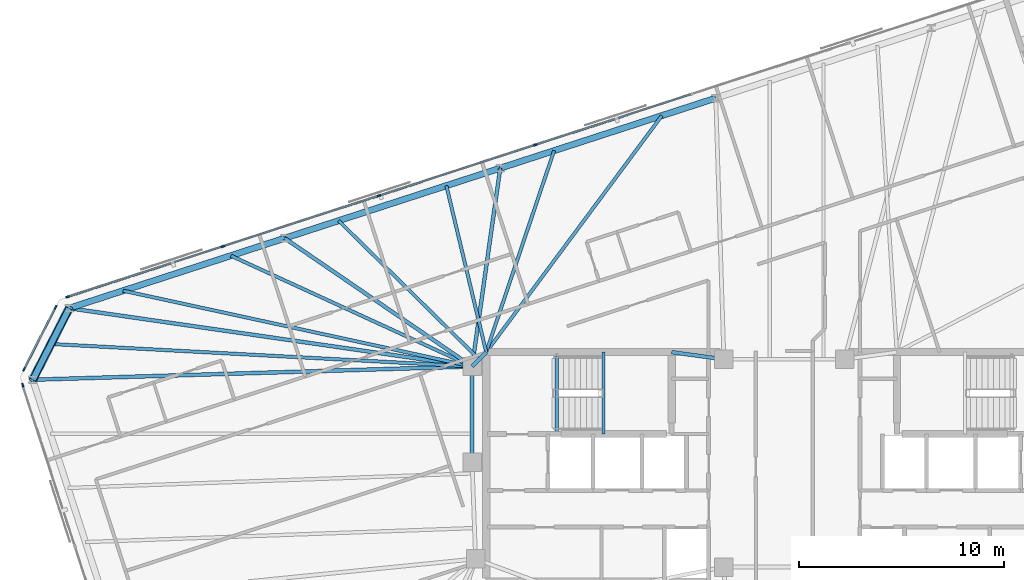
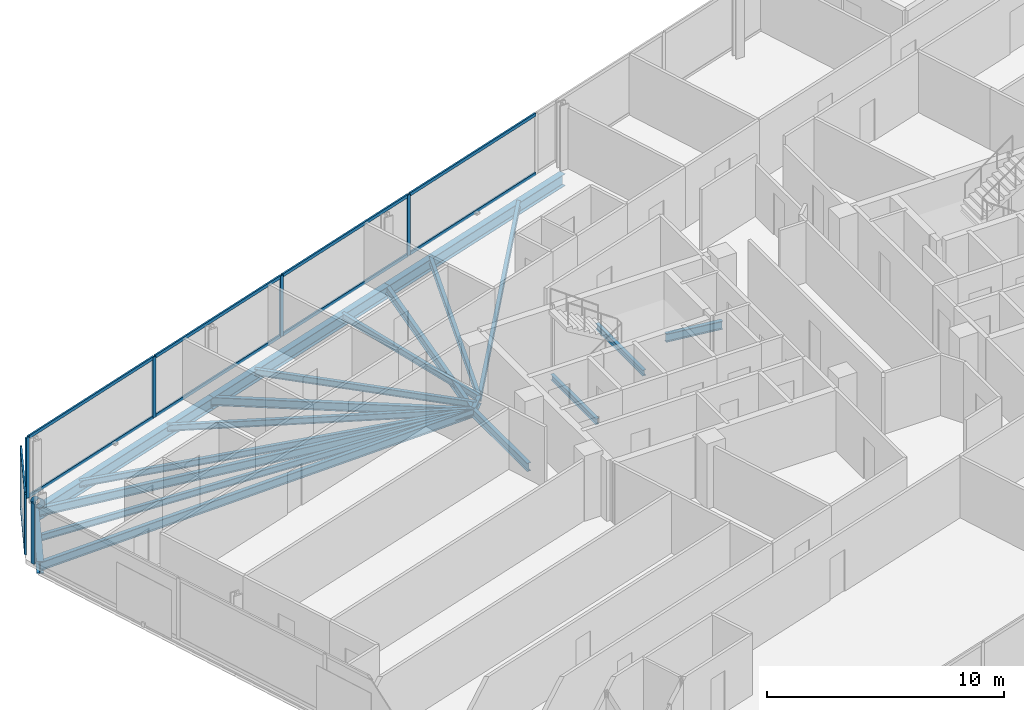
# One storey, part 9 of 19: 20 beams, 18 members, 3 elements without a shape of their own.
"""IFC4 building model written with IfcOpenShell, lengths in metres."""

import ifcopenshell
import ifcopenshell.guid

model = None  # the IFC model being written
_history = None  # IfcOwnerHistory: only IFC2X3 demands one
_inside = {}  # id of a spatial element -> (the spatial element, [elements in it])
_under = {}  # id of a project, library or spatial element -> (it, [spatial elements below it])
_declared = {}  # id of a project -> (the project, [libraries it declares])
_typed = {}  # id of a type object -> (the type object, [elements of that type])
_made_of = {}  # id of a material, layer set ... -> (it, [elements and type objects made of it])


def new_model(schema):
    """Start an empty IFC model of exactly this schema.

    Asked for "IFC4X3", IfcOpenShell would pick the latest addendum, in which some entities
    have other attributes; the version numbers below select the first issue.
    IFC2X3 requires an IfcOwnerHistory on every rooted entity: one is made here for all.
    """
    global model, _history
    if schema == "IFC4X3":
        model = ifcopenshell.file(schema_version=(4, 3, 0, 0))
    else:
        model = ifcopenshell.file(schema=schema)
    _inside.clear()
    _under.clear()
    _declared.clear()
    _typed.clear()
    _made_of.clear()
    _history = None
    if model.schema == "IFC2X3":
        org = make("IfcOrganization", Name="unknown")
        user = make(
            "IfcPersonAndOrganization",
            ThePerson=make("IfcPerson", FamilyName="unknown"),
            TheOrganization=org,
        )
        app = make(
            "IfcApplication",
            ApplicationDeveloper=org,
            Version="unknown",
            ApplicationFullName="unknown",
            ApplicationIdentifier="unknown",
        )
        _history = make(
            "IfcOwnerHistory",
            OwningUser=user,
            OwningApplication=app,
            ChangeAction="ADDED",
            CreationDate=0,
        )
    return model


def make(cls, **values):
    """One entity of the class cls with the attributes given. An attribute that is None is left unset."""
    return model.create_entity(
        cls, **{name: value for name, value in values.items() if value is not None}
    )


def rooted(cls, **values):
    """An entity with a GlobalId (a new one), such as an element, a storey or a relation."""
    return make(cls, GlobalId=ifcopenshell.guid.new(), OwnerHistory=_history, **values)


def si_unit(unit_type, name, prefix=None):
    """IfcSIUnit, for example si_unit("LENGTHUNIT", "METRE", prefix="MILLI")."""
    return make("IfcSIUnit", UnitType=unit_type, Prefix=prefix, Name=name)


def assignment(units):
    """IfcUnitAssignment: the units of a project."""
    return None if units is None else make("IfcUnitAssignment", Units=units)


def point(xyz):
    """IfcCartesianPoint."""
    return None if xyz is None else make("IfcCartesianPoint", Coordinates=xyz)


def direction(xyz):
    """IfcDirection."""
    return None if xyz is None else make("IfcDirection", DirectionRatios=xyz)


def frame(location, z_axis=None, x_axis=None):
    """IfcAxis2Placement3D, a coordinate frame: its origin and axes. An axis left out is left unset."""
    return make(
        "IfcAxis2Placement3D",
        Location=point(location),
        Axis=direction(z_axis),
        RefDirection=direction(x_axis),
    )


def frame_2d(location, x_axis=None):
    """IfcAxis2Placement2D, a coordinate frame in the plane: its origin and x axis."""
    return make(
        "IfcAxis2Placement2D", Location=point(location), RefDirection=direction(x_axis)
    )


def origin():
    """The frame at (0, 0, 0) with its axes left unset."""
    return frame((0.0, 0.0, 0.0))


def origin_2d():
    """The frame at (0, 0) in the plane with its x axis left unset."""
    return frame_2d((0.0, 0.0))


def place(relative_to, where):
    """IfcLocalPlacement: puts the frame where relative to a parent placement (None: the world)."""
    return make(
        "IfcLocalPlacement", PlacementRelTo=relative_to, RelativePlacement=where
    )


def context(
    kind, dimensions, precision=None, world=None, true_north=None, identifier=None
):
    """IfcGeometricRepresentationContext, for example the 3D "Model" context."""
    return make(
        "IfcGeometricRepresentationContext",
        ContextIdentifier=identifier,
        ContextType=kind,
        CoordinateSpaceDimension=dimensions,
        Precision=precision,
        WorldCoordinateSystem=world,
        TrueNorth=true_north,
    )


def subcontext(parent, identifier, kind, view, scale=None):
    """IfcGeometricRepresentationSubContext, for example "Body" below "Model"."""
    return make(
        "IfcGeometricRepresentationSubContext",
        ContextIdentifier=identifier,
        ContextType=kind,
        ParentContext=parent,
        TargetScale=scale,
        TargetView=view,
    )


def project(units=None, contexts=None):
    """IfcProject with its units and contexts."""
    return rooted(
        "IfcProject",
        Name="project",
        RepresentationContexts=contexts,
        UnitsInContext=assignment(units),
    )


def spatial(cls, under=None, at=None, **own):
    """A site, building, storey or space (cls), placed at a placement, below another one or the project."""
    s = rooted(cls, ObjectPlacement=at, **own)
    if under is not None:
        _under.setdefault(under.id(), (under, []))[1].append(s)
    return s


def profile(cls, at=None, kind="AREA", **sizes):
    """A parametric profile (cls). Its sizes go by their IFC names, for example OverallWidth=200.0."""
    return make(cls, ProfileType=kind, Position=at, **sizes)


def rectangle(**sizes):
    """IfcRectangleProfileDef."""
    return profile("IfcRectangleProfileDef", **sizes)


def hollow_circle(**sizes):
    """IfcCircleHollowProfileDef."""
    return profile("IfcCircleHollowProfileDef", **sizes)


def i_section(**sizes):
    """IfcIShapeProfileDef."""
    return profile("IfcIShapeProfileDef", **sizes)


def extrude(swept, where, along, depth):
    """IfcExtrudedAreaSolid: the profile swept, set in the frame where, extruded along a direction by depth."""
    return make(
        "IfcExtrudedAreaSolid",
        SweptArea=swept,
        Position=where,
        ExtrudedDirection=direction(along),
        Depth=depth,
    )


def shape(context_of_items, identifier, shape_type, items):
    """IfcShapeRepresentation: the items that make up one representation, for example the "Body"."""
    return make(
        "IfcShapeRepresentation",
        ContextOfItems=context_of_items,
        RepresentationIdentifier=identifier,
        RepresentationType=shape_type,
        Items=items,
    )


def material(Name=None, Category=None):
    """IfcMaterial."""
    return make("IfcMaterial", Name=Name, Category=Category)


def material_profile(
    of_material, cross_section, Name=None, Category=None, Priority=None
):
    """IfcMaterialProfile: a cross section and its material."""
    return make(
        "IfcMaterialProfile",
        Name=Name,
        Material=of_material,
        Profile=cross_section,
        Priority=Priority,
        Category=Category,
    )


def profile_set(profiles, Name=None, composite=None):
    """IfcMaterialProfileSet."""
    return make(
        "IfcMaterialProfileSet",
        Name=Name,
        MaterialProfiles=profiles,
        CompositeProfile=composite,
    )


def made_of(thing, what):
    """Note that an element or type object is made of a material, layer set ...; save() writes the relation."""
    if what is not None:
        _made_of.setdefault(what.id(), (what, []))[1].append(thing)
    return thing


def type_object(cls, material=None, **own):
    """A type object (cls), such as IfcWallType, which elements share."""
    return made_of(rooted(cls, **own), material)


def element(
    cls,
    number,
    at=None,
    inside=None,
    cuts=None,
    type_object=None,
    material=None,
    context=None,
    identifier="Body",
    shape_type=None,
    held_by="IfcProductDefinitionShape",
    body=None,
    shapes=None,
    **own,
):
    """One element of the class cls, such as IfcWall. Its Tag is "e" and its number.

    at: its placement. inside: the storey or other place that contains it. cuts: it is an
    opening in that element (IfcRelVoidsElement). A single representation is given by context,
    identifier, shape_type and body (its items); several are given by shapes. held_by: the class
    of the entity that holds the representations. save() writes the other relations.
    """
    e = rooted(cls, Tag="e%d" % number, ObjectPlacement=at, **own)
    if body is not None:
        shapes = [shape(context, identifier, shape_type, body)]
    if shapes is not None:
        e.Representation = make(held_by, Representations=shapes)
    if inside is not None:
        _inside.setdefault(inside.id(), (inside, []))[1].append(e)
    if cuts is not None:
        rooted(
            "IfcRelVoidsElement", RelatingBuildingElement=cuts, RelatedOpeningElement=e
        )
    if type_object is not None:
        _typed.setdefault(type_object.id(), (type_object, []))[1].append(e)
    return made_of(e, material)


def aggregate(whole, parts):
    """IfcRelAggregates: a whole, such as a stair, and the parts it consists of."""
    return rooted("IfcRelAggregates", RelatingObject=whole, RelatedObjects=parts)


def save(model, path):
    """Write the relations noted so far, then the file.

    IfcRelAggregates (storeys below a building ...), IfcRelContainedInSpatialStructure (elements
    in a storey), IfcRelDefinesByType, IfcRelAssociatesMaterial and IfcRelDeclares: one each for
    every whole, place, type object, material and project.
    """
    for whole, parts in _under.values():
        aggregate(whole, parts)
    for where, things in _inside.values():
        rooted(
            "IfcRelContainedInSpatialStructure",
            RelatedElements=things,
            RelatingStructure=where,
        )
    for kind, things in _typed.values():
        rooted("IfcRelDefinesByType", RelatedObjects=things, RelatingType=kind)
    for what, things in _made_of.values():
        rooted("IfcRelAssociatesMaterial", RelatedObjects=things, RelatingMaterial=what)
    for by, libraries in _declared.values():
        rooted("IfcRelDeclares", RelatingContext=by, RelatedDefinitions=libraries)
    model.write(path)


model = new_model("IFC4")

# Units and contexts
model_context = context("Model", 3, precision=1e-05, world=origin(), true_north=direction((0.0, 1.0)))
body_context = subcontext(model_context, "Body", "Model", "MODEL_VIEW")
ifc_project = project(units=[si_unit("LENGTHUNIT", "METRE"), si_unit("AREAUNIT", "SQUARE_METRE"), si_unit("VOLUMEUNIT", "CUBIC_METRE"), si_unit("PLANEANGLEUNIT", "RADIAN"), si_unit("MASSUNIT", "GRAM", prefix="KILO")], contexts=[model_context])

# Site, building, storey
site_placement = place(None, origin())
site = spatial("IfcSite", under=ifc_project, at=site_placement, CompositionType="ELEMENT")
building_placement = place(site_placement, origin())
building = spatial("IfcBuilding", under=site, at=building_placement, Name="Menara Jurai Vektor", CompositionType="ELEMENT")
storey_placement = place(building_placement, frame((0.0, 0.0, 231.0)))
storey = spatial("IfcBuildingStorey", under=building, at=storey_placement, Name="L61", CompositionType="ELEMENT", Elevation=231.0)

# Curtain wall, members
ifc_material_1 = material(Name="Anodised Pale Aluminium & Low-E Double Glazing", Category="aluminium")
curtain_wall_type = type_object("IfcCurtainWallType", Name="CW-BLK4", PredefinedType="NOTDEFINED", material=ifc_material_1)
curtain_wall_1_placement = place(storey_placement, origin())
curtain_wall_1 = element("IfcCurtainWall", 1, at=curtain_wall_1_placement, inside=storey, type_object=curtain_wall_type, Name="Unitised Curtain Wall L61 F03", PredefinedType="NOTDEFINED")
ifc_material_2 = material(Name="Anodised Pale Aluminium Mullion", Category="aluminium")
ifc_material_profile_1 = material_profile(ifc_material_2, rectangle(XDim=0.080078125, YDim=0.18994140625, at=origin_2d()), Name="ALU MUL 80x190")
ifc_profile_set_1 = profile_set([ifc_material_profile_1], Name="Anodised Pale Aluminium Mullion")
member_type_1 = type_object("IfcMemberType", Name="CW-BLK4-MUL", PredefinedType="MULLION", material=ifc_profile_set_1)
member_1_placement = place(storey_placement, frame((-12.166015625, 15.720947265625, 0.0), z_axis=(0.0, 0.0, 1.0), x_axis=(0.309017277937, -0.95105642416, 0.0)))
member_1 = element("IfcMember", 2, at=member_1_placement, type_object=member_type_1, Name="CW-04 mullion 4", PredefinedType="MULLION", context=body_context, shape_type="SweptSolid", body=[
    extrude(rectangle(XDim=0.080078125, YDim=0.18994140625, at=origin_2d()), origin(), (0.0, 0.0, 1.0), 3.125),
])
member_2_placement = place(storey_placement, frame((-19.79345703125, 13.24267578125, 0.0), z_axis=(0.0, 0.0, 1.0), x_axis=(0.309017277937, -0.95105642416, 0.0)))
member_2 = element("IfcMember", 3, at=member_2_placement, type_object=member_type_1, Name="CW-04 mullion 5", PredefinedType="MULLION", context=body_context, shape_type="SweptSolid", body=[
    extrude(rectangle(XDim=0.080078125, YDim=0.18994140625, at=origin_2d()), origin(), (0.0, 0.0, 1.0), 3.125),
])
member_3_placement = place(storey_placement, frame((-27.421142578125, 10.764404296875, 0.0), z_axis=(0.0, 0.0, 1.0), x_axis=(0.309017277937, -0.95105642416, 0.0)))
member_3 = element("IfcMember", 4, at=member_3_placement, type_object=member_type_1, Name="CW-04 mullion 6", PredefinedType="MULLION", context=body_context, shape_type="SweptSolid", body=[
    extrude(rectangle(XDim=0.080078125, YDim=0.18994140625, at=origin_2d()), origin(), (0.0, 0.0, 1.0), 3.125),
])
member_4_placement = place(storey_placement, frame((-35.010498046875, 8.29833984375, 0.0), z_axis=(0.0, 0.0, 1.0), x_axis=(0.309017277937, -0.95105642416, 0.0)))
member_4 = element("IfcMember", 5, at=member_4_placement, type_object=member_type_1, Name="CW-04 mullion 7", PredefinedType="MULLION", context=body_context, shape_type="SweptSolid", body=[
    extrude(rectangle(XDim=0.080078125, YDim=0.18994140625, at=origin_2d()), origin(), (0.0, 0.0, 1.0), 3.125),
])

curtain_wall_2_placement = place(storey_placement, origin())
curtain_wall_2 = element("IfcCurtainWall", 6, at=curtain_wall_2_placement, inside=storey, type_object=curtain_wall_type, Name="Unitised Curtain Wall L61 F04", PredefinedType="NOTDEFINED")
member_5_placement = place(storey_placement, frame((-35.6005859375, 7.79443359375, 0.0), z_axis=(0.0, 0.0, 1.0), x_axis=(0.89100750243, -0.453988579828, 0.0)))
member_5 = element("IfcMember", 7, at=member_5_placement, type_object=member_type_1, Name="CW-04 mullion 1", PredefinedType="MULLION", context=body_context, shape_type="SweptSolid", body=[
    extrude(rectangle(XDim=0.080078125, YDim=0.18994140625, at=origin_2d()), origin(), (0.0, 0.0, 1.0), 3.125),
])
member_6_placement = place(storey_placement, frame((-37.145263671875, 4.7626953125, 0.0), z_axis=(0.0, 0.0, 1.0), x_axis=(0.89100750243, -0.453988579828, 0.0)))
member_6 = element("IfcMember", 8, at=member_6_placement, type_object=member_type_1, Name="CW-04 mullion 2", PredefinedType="MULLION", context=body_context, shape_type="SweptSolid", body=[
    extrude(rectangle(XDim=0.080078125, YDim=0.18994140625, at=origin_2d()), origin(), (0.0, 0.0, 1.0), 3.125),
])

# Curtain wall, member
curtain_wall_3_placement = place(storey_placement, origin())
curtain_wall_3 = element("IfcCurtainWall", 9, at=curtain_wall_3_placement, inside=storey, type_object=curtain_wall_type, Name="Unitised Curtain Wall L61 F05", PredefinedType="NOTDEFINED")
member_7_placement = place(storey_placement, frame((-37.206298828125, 3.989013671875, 0.0), z_axis=(0.0, 0.0, 1.0), x_axis=(0.95105668295, 0.309016481464, 0.0)))
member_7 = element("IfcMember", 10, at=member_7_placement, type_object=member_type_1, Name="CW-04 mullion 1", PredefinedType="MULLION", context=body_context, shape_type="SweptSolid", body=[
    extrude(rectangle(XDim=0.080078125, YDim=0.18994140625, at=origin_2d()), origin(), (0.0, 0.0, 1.0), 3.125),
])
aggregate(curtain_wall_3, [member_7])

# Member
ifc_material_3 = material(Name="Anodised Pale Aluminium Transom", Category="aluminium")
ifc_material_profile_2 = material_profile(ifc_material_3, rectangle(XDim=0.080078125, YDim=0.1650390625, at=origin_2d()), Name="ALU TRN 80x165")
ifc_profile_set_2 = profile_set([ifc_material_profile_2], Name="Anodised Pale Aluminium Transom")
member_type_2 = type_object("IfcMemberType", Name="CW-BLK4-TRN", PredefinedType="USERDEFINED", material=ifc_profile_set_2)
member_8_placement = place(storey_placement, frame((-4.57666015625, 18.18701171875, 0.0400390625), z_axis=(-0.951057339738, -0.309014460068, 0.0), x_axis=(0.309014460068, -0.951057339738, 0.0)))
member_8 = element("IfcMember", 11, at=member_8_placement, type_object=member_type_2, Name="CW-04 transom 3.1", ObjectType="TRANSOM", PredefinedType="USERDEFINED", context=body_context, shape_type="SweptSolid", body=[
    extrude(rectangle(XDim=0.080078125, YDim=0.1650390625, at=origin_2d()), origin(), (0.0, 0.0, 1.0), 7.940185546875),
])

member_9_placement = place(storey_placement, frame((-4.57666015625, 18.18701171875, 3.0849609375), z_axis=(-0.951057339738, -0.309014460068, 0.0), x_axis=(0.309014460068, -0.951057339738, 0.0)))
member_9 = element("IfcMember", 12, at=member_9_placement, type_object=member_type_2, Name="CW-04 transom 3.2", ObjectType="TRANSOM", PredefinedType="USERDEFINED", context=body_context, shape_type="SweptSolid", body=[
    extrude(rectangle(XDim=0.080078125, YDim=0.1650390625, at=origin_2d()), origin(), (0.0, 0.0, 1.0), 7.940185546875),
])

member_10_placement = place(storey_placement, frame((-12.2041015625, 15.708740234375, 0.0400390625), z_axis=(-0.951057339738, -0.309014460068, 0.0), x_axis=(0.309014460068, -0.951057339738, 0.0)))
member_10 = element("IfcMember", 13, at=member_10_placement, type_object=member_type_2, Name="CW-04 transom 4.1", ObjectType="TRANSOM", PredefinedType="USERDEFINED", context=body_context, shape_type="SweptSolid", body=[
    extrude(rectangle(XDim=0.080078125, YDim=0.1650390625, at=origin_2d()), origin(), (0.0, 0.0, 1.0), 7.940185546875),
])

member_11_placement = place(storey_placement, frame((-12.2041015625, 15.708740234375, 3.0849609375), z_axis=(-0.951057339738, -0.309014460068, 0.0), x_axis=(0.309014460068, -0.951057339738, 0.0)))
member_11 = element("IfcMember", 14, at=member_11_placement, type_object=member_type_2, Name="CW-04 transom 4.2", ObjectType="TRANSOM", PredefinedType="USERDEFINED", context=body_context, shape_type="SweptSolid", body=[
    extrude(rectangle(XDim=0.080078125, YDim=0.1650390625, at=origin_2d()), origin(), (0.0, 0.0, 1.0), 7.940185546875),
])

member_12_placement = place(storey_placement, frame((-19.83154296875, 13.23046875, 0.0400390625), z_axis=(-0.951057339738, -0.309014460068, 0.0), x_axis=(0.309014460068, -0.951057339738, 0.0)))
member_12 = element("IfcMember", 15, at=member_12_placement, type_object=member_type_2, Name="CW-04 transom 5.1", ObjectType="TRANSOM", PredefinedType="USERDEFINED", context=body_context, shape_type="SweptSolid", body=[
    extrude(rectangle(XDim=0.080078125, YDim=0.1650390625, at=origin_2d()), origin(), (0.0, 0.0, 1.0), 7.940185546875),
])

member_13_placement = place(storey_placement, frame((-19.83154296875, 13.23046875, 3.0849609375), z_axis=(-0.951057339738, -0.309014460068, 0.0), x_axis=(0.309014460068, -0.951057339738, 0.0)))
member_13 = element("IfcMember", 16, at=member_13_placement, type_object=member_type_2, Name="CW-04 transom 5.2", ObjectType="TRANSOM", PredefinedType="USERDEFINED", context=body_context, shape_type="SweptSolid", body=[
    extrude(rectangle(XDim=0.080078125, YDim=0.1650390625, at=origin_2d()), origin(), (0.0, 0.0, 1.0), 7.940185546875),
])

member_14_placement = place(storey_placement, frame((-27.458984375, 10.751953125, 0.0400390625), z_axis=(-0.951060182336, -0.309005711233, 0.0), x_axis=(0.309005711233, -0.951060182336, 0.0)))
member_14 = element("IfcMember", 17, at=member_14_placement, type_object=member_type_2, Name="CW-04 transom 6.1", ObjectType="TRANSOM", PredefinedType="USERDEFINED", context=body_context, shape_type="SweptSolid", body=[
    extrude(rectangle(XDim=0.080078125, YDim=0.1650390625, at=origin_2d()), origin(), (0.0, 0.0, 1.0), 7.900146484375),
])

member_15_placement = place(storey_placement, frame((-27.458984375, 10.751953125, 3.0849609375), z_axis=(-0.951060182336, -0.309005711233, 0.0), x_axis=(0.309005711233, -0.951060182336, 0.0)))
member_15 = element("IfcMember", 18, at=member_15_placement, type_object=member_type_2, Name="CW-04 transom 6.2", ObjectType="TRANSOM", PredefinedType="USERDEFINED", context=body_context, shape_type="SweptSolid", body=[
    extrude(rectangle(XDim=0.080078125, YDim=0.1650390625, at=origin_2d()), origin(), (0.0, 0.0, 1.0), 7.900146484375),
])

aggregate(curtain_wall_1, [member_1, member_2, member_3, member_4, member_8, member_9, member_10, member_11, member_12, member_13, member_14, member_15])

member_16_placement = place(storey_placement, frame((-35.61865234375, 7.7587890625, 0.0400390625), z_axis=(-0.454019339544, -0.890991828986, 0.0), x_axis=(0.890991828986, -0.454019339544, 0.0)))
member_16 = element("IfcMember", 19, at=member_16_placement, type_object=member_type_2, Name="CW-04 transom 1.1", ObjectType="TRANSOM", PredefinedType="USERDEFINED", context=body_context, shape_type="SweptSolid", body=[
    extrude(rectangle(XDim=0.080078125, YDim=0.1650390625, at=origin_2d()), origin(), (0.0, 0.0, 1.0), 3.32275390625),
])

member_17_placement = place(storey_placement, frame((-35.61865234375, 7.7587890625, 3.0849609375), z_axis=(-0.454019339544, -0.890991828986, 0.0), x_axis=(0.890991828986, -0.454019339544, 0.0)))
member_17 = element("IfcMember", 20, at=member_17_placement, type_object=member_type_2, Name="CW-04 transom 1.2", ObjectType="TRANSOM", PredefinedType="USERDEFINED", context=body_context, shape_type="SweptSolid", body=[
    extrude(rectangle(XDim=0.080078125, YDim=0.1650390625, at=origin_2d()), origin(), (0.0, 0.0, 1.0), 3.32275390625),
])

aggregate(curtain_wall_2, [member_5, member_6, member_16, member_17])

# Beams
ifc_material_4 = material(Name="Steel S355", Category="steel")
ifc_material_profile_3 = material_profile(ifc_material_4, i_section(OverallWidth=0.18505859375, OverallDepth=0.429931640625, WebThickness=0.010986328125, FlangeThickness=0.01806640625, at=origin_2d()), Name="PG 430x185x76")
ifc_profile_set_3 = profile_set([ifc_material_profile_3], Name="Steel S355")
beam_type_1 = type_object("IfcBeamType", Name="STR-BM-430", PredefinedType="BEAM", material=ifc_profile_set_3)
beam_1_placement = place(storey_placement, frame((-15.25, 4.89990234375, -0.43994140625), z_axis=(0.701871936926, 0.712303154672, 0.0), x_axis=(-0.712303154672, 0.701871936926, 0.0)))
element("IfcBeam", 21, at=beam_1_placement, inside=storey, type_object=beam_type_1, Name="Core Ring Header Girder L61-CHW-N1", PredefinedType="BEAM", context=body_context, shape_type="SweptSolid", body=[
    extrude(i_section(OverallWidth=0.18505859375, OverallDepth=0.429931640625, WebThickness=0.010986328125, FlangeThickness=0.01806640625, at=origin_2d()), origin(), (0.0, 0.0, 1.0), 0.98291015625),
])
beam_2_placement = place(storey_placement, frame((-5.5, 5.60009765625, -0.43994140625), z_axis=(0.990706818608, -0.136014703483, 0.0), x_axis=(0.136014703483, 0.990706818608, 0.0)))
element("IfcBeam", 22, at=beam_2_placement, inside=storey, type_object=beam_type_1, Name="Core Ring Header Girder L61-CHW-N2", PredefinedType="BEAM", context=body_context, shape_type="SweptSolid", body=[
    extrude(i_section(OverallWidth=0.18505859375, OverallDepth=0.429931640625, WebThickness=0.010986328125, FlangeThickness=0.01806640625, at=origin_2d()), origin(), (0.0, 0.0, 1.0), 2.573974609375),
])
beam_3_placement = place(storey_placement, frame((-15.25, 0.219970703125, -0.43994140625), z_axis=(0.0, 1.0, 0.0), x_axis=(-1.0, 0.0, 0.0)))
element("IfcBeam", 23, at=beam_3_placement, inside=storey, type_object=beam_type_1, Name="Core Ring Header Girder L61-CHW-W1", PredefinedType="BEAM", context=body_context, shape_type="SweptSolid", body=[
    extrude(i_section(OverallWidth=0.18505859375, OverallDepth=0.429931640625, WebThickness=0.010986328125, FlangeThickness=0.01806640625, at=origin_2d()), origin(), (0.0, 0.0, 1.0), 4.679931640625),
])
beam_4_placement = place(storey_placement, frame((-13.875, 14.58740234375, -0.43994140625), z_axis=(-0.140527035582, -0.990076841599, 0.0), x_axis=(0.990076841599, -0.140527035582, 0.0)))
element("IfcBeam", 24, at=beam_4_placement, inside=storey, type_object=beam_type_1, Name="Radial Floor Girder L61-N4", PredefinedType="BEAM", context=body_context, shape_type="SweptSolid", body=[
    extrude(i_section(OverallWidth=0.18505859375, OverallDepth=0.429931640625, WebThickness=0.010986328125, FlangeThickness=0.01806640625, at=origin_2d()), origin(), (0.0, 0.0, 1.0), 9.78466796875),
])
beam_5_placement = place(storey_placement, frame((-24.404296875, 11.166259765625, -0.43994140625), z_axis=(0.825185786768, -0.564861414257, 0.0), x_axis=(0.564861414257, 0.825185786768, 0.0)))
element("IfcBeam", 25, at=beam_5_placement, inside=storey, type_object=beam_type_1, Name="Radial Floor Girder L61-N5", PredefinedType="BEAM", context=body_context, shape_type="SweptSolid", body=[
    extrude(i_section(OverallWidth=0.18505859375, OverallDepth=0.429931640625, WebThickness=0.010986328125, FlangeThickness=0.01806640625, at=origin_2d()), origin(), (0.0, 0.0, 1.0), 11.093505859375),
])
beam_6_placement = place(storey_placement, frame((-34.93359375, 7.7451171875, -0.43994140625), z_axis=(0.989713916117, -0.14306070126, 0.0), x_axis=(0.14306070126, 0.989713916117, 0.0)))
element("IfcBeam", 26, at=beam_6_placement, inside=storey, type_object=beam_type_1, Name="Radial Floor Girder L61-N6", PredefinedType="BEAM", context=body_context, shape_type="SweptSolid", body=[
    extrude(i_section(OverallWidth=0.18505859375, OverallDepth=0.429931640625, WebThickness=0.010986328125, FlangeThickness=0.01806640625, at=origin_2d()), origin(), (0.0, 0.0, 1.0), 19.88818359375),
])
beam_7_placement = place(storey_placement, frame((-36.71337890625, 4.251953125, -0.43994140625), z_axis=(0.999544635638, 0.030174846589, 0.0), x_axis=(-0.030174846589, 0.999544635638, 0.0)))
element("IfcBeam", 27, at=beam_7_placement, inside=storey, type_object=beam_type_1, Name="Radial Floor Girder L61-W1", PredefinedType="BEAM", context=body_context, shape_type="SweptSolid", body=[
    extrude(i_section(OverallWidth=0.18505859375, OverallDepth=0.429931640625, WebThickness=0.010986328125, FlangeThickness=0.01806640625, at=origin_2d()), origin(), (0.0, 0.0, 1.0), 21.47314453125),
])

# Member
ifc_material_5 = material(Name="Steel S460", Category="steel")
ifc_material_profile_4 = material_profile(ifc_material_5, hollow_circle(Radius=0.203125, WallThickness=0.01611328125, at=origin_2d()), Name="CHS 406.4x16")
ifc_profile_set_4 = profile_set([ifc_material_profile_4], Name="Steel S460")
member_type_3 = type_object("IfcMemberType", Name="STR-BR-406", PredefinedType="BRACE", material=ifc_profile_set_4)
member_18_placement = place(storey_placement, frame((-34.93359375, 7.7451171875, 0.14990234375), z_axis=(-0.377225079071, -0.740375367811, 0.556368182465), x_axis=(0.891013832566, -0.453976155955, 0.0)))
element("IfcMember", 28, at=member_18_placement, inside=storey, type_object=member_type_3, Name="Exoskeleton Corner Brace L61-3", PredefinedType="BRACE", context=body_context, shape_type="SweptSolid", body=[
    extrude(hollow_circle(Radius=0.203125, WallThickness=0.01611328125, at=origin_2d()), origin(), (0.0, 0.0, 1.0), 4.718017578125),
])

# Beams
ifc_material_profile_5 = material_profile(ifc_material_4, i_section(OverallWidth=0.1650390625, OverallDepth=0.330078125, WebThickness=0.009033203125, FlangeThickness=0.013916015625, at=origin_2d()), Name="PG 330x165x46")
ifc_profile_set_5 = profile_set([ifc_material_profile_5], Name="Steel S355")
beam_type_2 = type_object("IfcBeamType", Name="STR-JS-330", PredefinedType="JOIST", material=ifc_profile_set_5)
beam_8_placement = place(storey_placement, frame((-5.97802734375, 17.1533203125, -0.389892578125), z_axis=(-0.59630776033, -0.802755912448, 0.0), x_axis=(0.802755912448, -0.59630776033, 0.0)))
element("IfcBeam", 29, at=beam_8_placement, inside=storey, type_object=beam_type_2, Name="Radial Secondary Floor Joist L61-JS18", PredefinedType="JOIST", context=body_context, shape_type="SweptSolid", body=[
    extrude(i_section(OverallWidth=0.1650390625, OverallDepth=0.330078125, WebThickness=0.009033203125, FlangeThickness=0.013916015625, at=origin_2d()), origin(), (0.0, 0.0, 1.0), 14.391845703125),
])
beam_9_placement = place(storey_placement, frame((-11.24267578125, 15.44287109375, -0.389892578125), z_axis=(-0.319385076217, -0.94762501713, 0.0), x_axis=(0.94762501713, -0.319385076217, 0.0)))
element("IfcBeam", 30, at=beam_9_placement, inside=storey, type_object=beam_type_2, Name="Radial Secondary Floor Joist L61-JS19", PredefinedType="JOIST", context=body_context, shape_type="SweptSolid", body=[
    extrude(i_section(OverallWidth=0.1650390625, OverallDepth=0.330078125, WebThickness=0.009033203125, FlangeThickness=0.013916015625, at=origin_2d()), origin(), (0.0, 0.0, 1.0), 10.38671875),
])
beam_10_placement = place(storey_placement, frame((-16.50732421875, 13.732177734375, -0.389892578125), z_axis=(0.23287158907, -0.972507492518, 0.0), x_axis=(0.972507492518, 0.23287158907, 0.0)))
element("IfcBeam", 31, at=beam_10_placement, inside=storey, type_object=beam_type_2, Name="Radial Secondary Floor Joist L61-JS20", PredefinedType="JOIST", context=body_context, shape_type="SweptSolid", body=[
    extrude(i_section(OverallWidth=0.1650390625, OverallDepth=0.330078125, WebThickness=0.009033203125, FlangeThickness=0.013916015625, at=origin_2d()), origin(), (0.0, 0.0, 1.0), 8.362060546875),
])
beam_11_placement = place(storey_placement, frame((-21.77197265625, 12.021484375, -0.389892578125), z_axis=(0.7121893722, -0.701987391714, 0.0), x_axis=(0.701987391714, 0.7121893722, 0.0)))
element("IfcBeam", 32, at=beam_11_placement, inside=storey, type_object=beam_type_2, Name="Radial Secondary Floor Joist L61-JS21", PredefinedType="JOIST", context=body_context, shape_type="SweptSolid", body=[
    extrude(i_section(OverallWidth=0.1650390625, OverallDepth=0.330078125, WebThickness=0.009033203125, FlangeThickness=0.013916015625, at=origin_2d()), origin(), (0.0, 0.0, 1.0), 9.64404296875),
])
beam_12_placement = place(storey_placement, frame((-27.03662109375, 10.31103515625, -0.389892578125), z_axis=(0.908803804095, -0.417223735738, 0.0), x_axis=(0.417223735738, 0.908803804095, 0.0)))
element("IfcBeam", 33, at=beam_12_placement, inside=storey, type_object=beam_type_2, Name="Radial Secondary Floor Joist L61-JS22", PredefinedType="JOIST", context=body_context, shape_type="SweptSolid", body=[
    extrude(i_section(OverallWidth=0.1650390625, OverallDepth=0.330078125, WebThickness=0.009033203125, FlangeThickness=0.013916015625, at=origin_2d()), origin(), (0.0, 0.0, 1.0), 12.969482421875),
])
beam_13_placement = place(storey_placement, frame((-32.30126953125, 8.600341796875, -0.389892578125), z_axis=(0.977251946396, -0.212081666498, 0.0), x_axis=(0.212081666498, 0.977251946396, 0.0)))
element("IfcBeam", 34, at=beam_13_placement, inside=storey, type_object=beam_type_2, Name="Radial Secondary Floor Joist L61-JS23", PredefinedType="JOIST", context=body_context, shape_type="SweptSolid", body=[
    extrude(i_section(OverallWidth=0.1650390625, OverallDepth=0.330078125, WebThickness=0.009033203125, FlangeThickness=0.013916015625, at=origin_2d()), origin(), (0.0, 0.0, 1.0), 17.4482421875),
])
beam_14_placement = place(storey_placement, frame((-35.823486328125, 5.99853515625, -0.389892578125), z_axis=(0.998577239708, -0.053324444086, 0.0), x_axis=(0.053324444086, 0.998577239708, 0.0)))
element("IfcBeam", 35, at=beam_14_placement, inside=storey, type_object=beam_type_2, Name="Radial Secondary Floor Joist L61-JS24", PredefinedType="JOIST", context=body_context, shape_type="SweptSolid", body=[
    extrude(i_section(OverallWidth=0.1650390625, OverallDepth=0.330078125, WebThickness=0.009033203125, FlangeThickness=0.013916015625, at=origin_2d()), origin(), (0.0, 0.0, 1.0), 20.602783203125),
])
ifc_material_profile_6 = material_profile(ifc_material_4, i_section(OverallWidth=0.1650390625, OverallDepth=0.302978515625, WebThickness=0.006103515625, FlangeThickness=0.010009765625, FilletRadius=0.009033203125, at=origin_2d()), Name="UKB 305x165x40")
ifc_profile_set_6 = profile_set([ifc_material_profile_6], Name="Steel S355")
beam_type_3 = type_object("IfcBeamType", Name="STR-LN-305", PredefinedType="LINTEL", material=ifc_profile_set_6)
beam_15_placement = place(storey_placement, frame((-11.1201171875, 1.60009765625, -0.37646484375), z_axis=(0.0, 1.0, 0.0), x_axis=(-1.0, 0.0, 0.0)))
element("IfcBeam", 36, at=beam_15_placement, inside=storey, type_object=beam_type_3, Name="Stair Well Floor Trimmer ST1 L61", PredefinedType="LINTEL", context=body_context, shape_type="SweptSolid", body=[
    extrude(i_section(OverallWidth=0.1650390625, OverallDepth=0.302978515625, WebThickness=0.006103515625, FlangeThickness=0.010009765625, FilletRadius=0.009033203125, at=origin_2d()), origin(), (0.0, 0.0, 1.0), 3.81982421875),
])
beam_16_placement = place(storey_placement, frame((-8.830078125, 1.60009765625, 1.323486328125), z_axis=(0.0, 1.0, 0.0), x_axis=(-1.0, 0.0, 0.0)))
element("IfcBeam", 37, at=beam_16_placement, inside=storey, type_object=beam_type_3, Name="Stair Half-Landing Nosing Trimmer ST1-1 L61", PredefinedType="LINTEL", context=body_context, shape_type="SweptSolid", body=[
    extrude(i_section(OverallWidth=0.1650390625, OverallDepth=0.302978515625, WebThickness=0.006103515625, FlangeThickness=0.010009765625, FilletRadius=0.009033203125, at=origin_2d()), origin(), (0.0, 0.0, 1.0), 4.0),
])
ifc_material_profile_7 = material_profile(ifc_material_4, i_section(OverallWidth=0.306884765625, OverallDepth=0.6201171875, WebThickness=0.013916015625, FlangeThickness=0.02392578125, FilletRadius=0.01708984375, at=origin_2d()), Name="UKB 610x305x179")
ifc_profile_set_7 = profile_set([ifc_material_profile_7], Name="Steel S355")
beam_type_4 = type_object("IfcBeamType", Name="STR-SP-610", PredefinedType="SPANDREL", material=ifc_profile_set_7)
for number, where, z_axis, x_axis, name in (
    (38, (-3.345703125, 18.008544921875, -0.534912109375), (-0.951057401967, -0.309014268544, 0.0), (0.309014268544, -0.951057401967, 0.0), "Exoskeleton Spandrel Beam L61-13"),
    (39, (-13.875, 14.58740234375, -0.534912109375), (-0.951057401967, -0.309014268544, 0.0), (0.309014268544, -0.951057401967, 0.0), "Exoskeleton Spandrel Beam L61-14"),
    (40, (-24.404296875, 11.166259765625, -0.534912109375), (-0.951057401967, -0.309014268544, 0.0), (0.309014268544, -0.951057401967, 0.0), "Exoskeleton Spandrel Beam L61-15"),
):
    element("IfcBeam", number, at=place(storey_placement, frame(where, z_axis=z_axis, x_axis=x_axis)), inside=storey, type_object=beam_type_4, Name=name, PredefinedType="SPANDREL", context=body_context, shape_type="SweptSolid", body=[
        extrude(i_section(OverallWidth=0.306884765625, OverallDepth=0.6201171875, WebThickness=0.013916015625, FlangeThickness=0.02392578125, FilletRadius=0.01708984375, at=origin_2d()), origin(), (0.0, 0.0, 1.0), 11.071044921875),
    ])
beam_17_placement = place(storey_placement, frame((-34.93359375, 7.7451171875, -0.534912109375), z_axis=(-0.453976155955, -0.891013832566, 0.0), x_axis=(0.891013832566, -0.453976155955, 0.0)))
element("IfcBeam", 41, at=beam_17_placement, inside=storey, type_object=beam_type_4, Name="Exoskeleton Spandrel Beam L61-16", PredefinedType="SPANDREL", context=body_context, shape_type="SweptSolid", body=[
    extrude(i_section(OverallWidth=0.306884765625, OverallDepth=0.6201171875, WebThickness=0.013916015625, FlangeThickness=0.02392578125, FilletRadius=0.01708984375, at=origin_2d()), origin(), (0.0, 0.0, 1.0), 3.92041015625),
])

save(model, "model.ifc")
